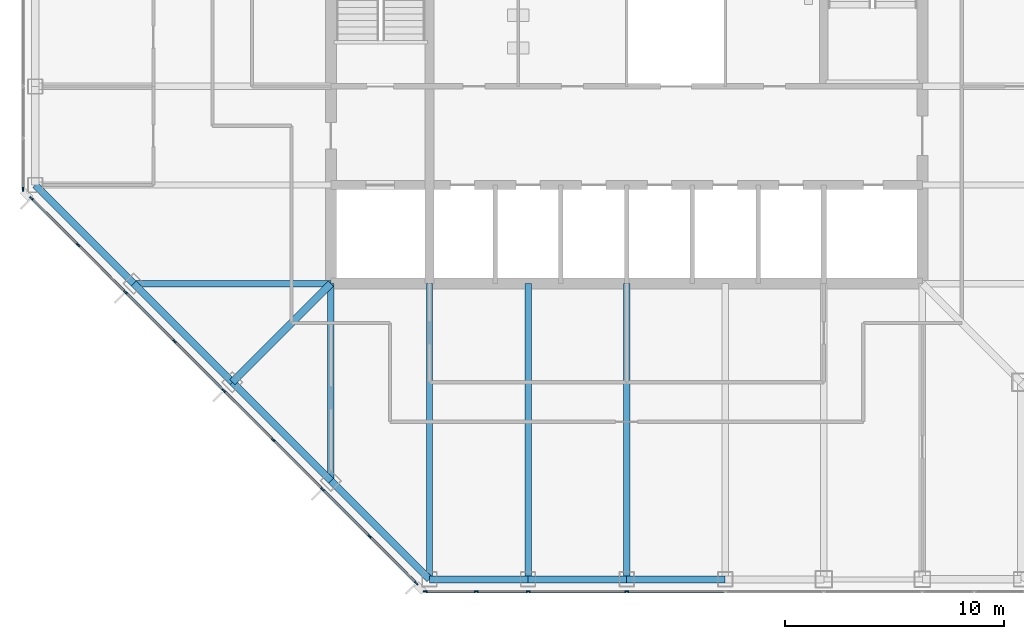
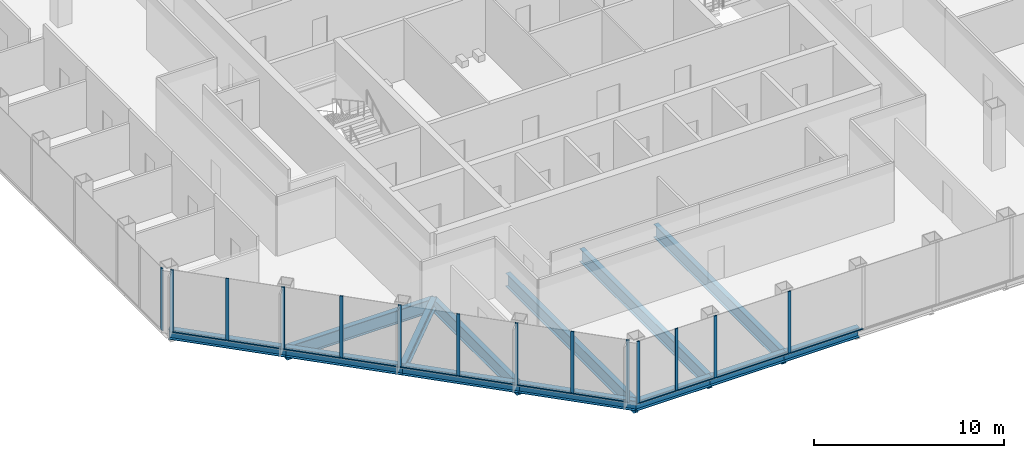
# One storey, part 2 of 13: 26 members, 13 beams, 3 elements without a shape of their own.
"""IFC4 building model written with IfcOpenShell, lengths in metres."""

from ifc_helpers import new_model, si_unit, direction, frame, origin, origin_2d, place, context, subcontext, project, spatial, rectangle, i_section, extrude, material, material_profile, profile_set, type_object, element, aggregate, save


model = new_model("IFC4")

# Units and contexts
model_context = context("Model", 3, precision=1e-05, world=origin(), true_north=direction((0.0, 1.0)))
body_context = subcontext(model_context, "Body", "Model", "MODEL_VIEW")
ifc_project = project(units=[si_unit("LENGTHUNIT", "METRE"), si_unit("AREAUNIT", "SQUARE_METRE"), si_unit("VOLUMEUNIT", "CUBIC_METRE"), si_unit("PLANEANGLEUNIT", "RADIAN"), si_unit("MASSUNIT", "GRAM", prefix="KILO")], contexts=[model_context])

# Site, building, storey
site_placement = place(None, origin())
site = spatial("IfcSite", under=ifc_project, at=site_placement, CompositionType="ELEMENT")
building_placement = place(site_placement, origin())
building = spatial("IfcBuilding", under=site, at=building_placement, Name="Corais Broadcast Tower", CompositionType="ELEMENT")
storey_placement = place(building_placement, frame((0.0, 0.0, 155.60009765625)))
storey = spatial("IfcBuildingStorey", under=building, at=storey_placement, Name="L35", CompositionType="ELEMENT", Elevation=155.60009765625)

# Beams
ifc_material_1 = material(Name="Steel ASTM A572 Grade 50", Category="steel")
ifc_material_profile_1 = material_profile(ifc_material_1, i_section(OverallWidth=0.323974609375, OverallDepth=0.611083984375, WebThickness=0.0126953125, FlangeThickness=0.01904296875, at=origin_2d()), Name="W610x155")
ifc_profile_set_1 = profile_set([ifc_material_profile_1], Name="Steel ASTM A572 Grade 50")
beam_type_1 = type_object("IfcBeamType", Name="Corner diagonal W610x155", PredefinedType="BEAM", material=ifc_profile_set_1)
beam_1_placement = place(storey_placement, frame((9.0, 9.0, -0.465576171875), z_axis=(0.707106781187, 0.707106781187, 0.0), x_axis=(-0.707106781187, 0.707106781187, 0.0)))
element("IfcBeam", 1, at=beam_1_placement, inside=storey, type_object=beam_type_1, Name="B6 C/5 to D/6", PredefinedType="BEAM", context=body_context, shape_type="SweptSolid", body=[
    extrude(i_section(OverallWidth=0.323974609375, OverallDepth=0.611083984375, WebThickness=0.0126953125, FlangeThickness=0.01904296875, at=origin_2d()), origin(), (0.0, 0.0, 1.0), 6.364013671875),
])
ifc_material_2 = material(Name="Steel ASTM A572 Grade 50", Category="steel")
ifc_material_profile_2 = material_profile(ifc_material_2, i_section(OverallWidth=0.2939453125, OverallDepth=0.85107421875, WebThickness=0.01611328125, FlangeThickness=0.02685546875, at=origin_2d()), Name="W840x226")
ifc_profile_set_2 = profile_set([ifc_material_profile_2], Name="Steel ASTM A572 Grade 50")
beam_type_2 = type_object("IfcBeamType", Name="Floor beam W840x226", PredefinedType="BEAM", material=ifc_profile_set_2)
beam_2_placement = place(storey_placement, frame((13.5, 4.5, -0.585693359375), z_axis=(0.0, 1.0, 0.0), x_axis=(-1.0, 0.0, 0.0)))
element("IfcBeam", 2, at=beam_2_placement, inside=storey, type_object=beam_type_2, Name="B1 B/6 to D/6", PredefinedType="BEAM", context=body_context, shape_type="SweptSolid", body=[
    extrude(i_section(OverallWidth=0.2939453125, OverallDepth=0.85107421875, WebThickness=0.01611328125, FlangeThickness=0.02685546875, at=origin_2d()), origin(), (0.0, 0.0, 1.0), 9.0),
])
for number, where, z_axis, x_axis, name in (
    (3, (18.0, 0.0, -0.585693359375), (0.0, 1.0, 0.0), (-1.0, 0.0, 0.0), "B1 A/7 to D/7"),
    (4, (22.5, 0.0, -0.585693359375), (0.0, 1.0, 0.0), (-1.0, 0.0, 0.0), "B1 A/8 to D/8"),
    (5, (27.0, 0.0, -0.585693359375), (0.0, 1.0, 0.0), (-1.0, 0.0, 0.0), "B1 A/9 to D/9"),
):
    element("IfcBeam", number, at=place(storey_placement, frame(where, z_axis=z_axis, x_axis=x_axis)), inside=storey, type_object=beam_type_2, Name=name, PredefinedType="BEAM", context=body_context, shape_type="SweptSolid", body=[
        extrude(i_section(OverallWidth=0.2939453125, OverallDepth=0.85107421875, WebThickness=0.01611328125, FlangeThickness=0.02685546875, at=origin_2d()), origin(), (0.0, 0.0, 1.0), 13.5),
    ])
beam_3_placement = place(storey_placement, frame((4.5, 13.5, -0.585693359375), z_axis=(1.0, 0.0, 0.0), x_axis=(0.0, 1.0, 0.0)))
element("IfcBeam", 6, at=beam_3_placement, inside=storey, type_object=beam_type_2, Name="B1 D/4 to D/6", PredefinedType="BEAM", context=body_context, shape_type="SweptSolid", body=[
    extrude(i_section(OverallWidth=0.2939453125, OverallDepth=0.85107421875, WebThickness=0.01611328125, FlangeThickness=0.02685546875, at=origin_2d()), origin(), (0.0, 0.0, 1.0), 9.0),
])

# Curtain wall, members
ifc_material_3 = material(Name="Aluminium and glass", Category="aluminium")
curtain_wall_type = type_object("IfcCurtainWallType", Name="Unitised fritted curtain wall CW2", PredefinedType="NOTDEFINED", material=ifc_material_3)
curtain_wall_1_placement = place(storey_placement, origin())
curtain_wall_1 = element("IfcCurtainWall", 7, at=curtain_wall_1_placement, inside=storey, type_object=curtain_wall_type, Name="CW2 curtain wall L35 1", PredefinedType="NOTDEFINED")
ifc_material_4 = material(Name="Aluminium 6063-T6", Category="aluminium")
ifc_material_profile_3 = material_profile(ifc_material_4, rectangle(XDim=0.06494140625, YDim=0.179931640625, at=origin_2d()), Name="Mullion CW2 65x180")
ifc_profile_set_3 = profile_set([ifc_material_profile_3], Name="Aluminium 6063-T6")
member_type_1 = type_object("IfcMemberType", Name="Mullion CW2 65x180", PredefinedType="MULLION", material=ifc_profile_set_3)
member_1_placement = place(storey_placement, frame((17.3955078125, -0.17333984375, 0.0), z_axis=(0.0, 0.0, 1.0), x_axis=(-0.707106781187, -0.707106781187, 0.0)))
member_1 = element("IfcMember", 8, at=member_1_placement, type_object=member_type_1, Name="CW2 mullion 1", PredefinedType="MULLION", context=body_context, shape_type="SweptSolid", body=[
    extrude(rectangle(XDim=0.06494140625, YDim=0.179931640625, at=origin_2d()), origin(), (0.0, 0.0, 1.0), 4.0),
])
member_2_placement = place(storey_placement, frame((15.264892578125, 1.957275390625, 0.0), z_axis=(0.0, 0.0, 1.0), x_axis=(-0.707106781187, -0.707106781187, 0.0)))
member_2 = element("IfcMember", 9, at=member_2_placement, type_object=member_type_1, Name="CW2 mullion 2", PredefinedType="MULLION", context=body_context, shape_type="SweptSolid", body=[
    extrude(rectangle(XDim=0.06494140625, YDim=0.179931640625, at=origin_2d()), origin(), (0.0, 0.0, 1.0), 4.0),
])
member_3_placement = place(storey_placement, frame((13.111083984375, 4.111083984375, 0.0), z_axis=(0.0, 0.0, 1.0), x_axis=(-0.707106781187, -0.707106781187, 0.0)))
member_3 = element("IfcMember", 10, at=member_3_placement, type_object=member_type_1, Name="CW2 mullion 3", PredefinedType="MULLION", context=body_context, shape_type="SweptSolid", body=[
    extrude(rectangle(XDim=0.06494140625, YDim=0.179931640625, at=origin_2d()), origin(), (0.0, 0.0, 1.0), 4.0),
])
member_4_placement = place(storey_placement, frame((10.861083984375, 6.361083984375, 0.0), z_axis=(0.0, 0.0, 1.0), x_axis=(-0.707106781187, -0.707106781187, 0.0)))
member_4 = element("IfcMember", 11, at=member_4_placement, type_object=member_type_1, Name="CW2 mullion 4", PredefinedType="MULLION", context=body_context, shape_type="SweptSolid", body=[
    extrude(rectangle(XDim=0.06494140625, YDim=0.179931640625, at=origin_2d()), origin(), (0.0, 0.0, 1.0), 4.0),
])
member_5_placement = place(storey_placement, frame((8.611083984375, 8.611083984375, 0.0), z_axis=(0.0, 0.0, 1.0), x_axis=(-0.707106781187, -0.707106781187, 0.0)))
member_5 = element("IfcMember", 12, at=member_5_placement, type_object=member_type_1, Name="CW2 mullion 5", PredefinedType="MULLION", context=body_context, shape_type="SweptSolid", body=[
    extrude(rectangle(XDim=0.06494140625, YDim=0.179931640625, at=origin_2d()), origin(), (0.0, 0.0, 1.0), 4.0),
])
member_6_placement = place(storey_placement, frame((6.361083984375, 10.861083984375, 0.0), z_axis=(0.0, 0.0, 1.0), x_axis=(-0.707106781187, -0.707106781187, 0.0)))
member_6 = element("IfcMember", 13, at=member_6_placement, type_object=member_type_1, Name="CW2 mullion 6", PredefinedType="MULLION", context=body_context, shape_type="SweptSolid", body=[
    extrude(rectangle(XDim=0.06494140625, YDim=0.179931640625, at=origin_2d()), origin(), (0.0, 0.0, 1.0), 4.0),
])
member_7_placement = place(storey_placement, frame((4.111083984375, 13.111083984375, 0.0), z_axis=(0.0, 0.0, 1.0), x_axis=(-0.707106781187, -0.707106781187, 0.0)))
member_7 = element("IfcMember", 14, at=member_7_placement, type_object=member_type_1, Name="CW2 mullion 7", PredefinedType="MULLION", context=body_context, shape_type="SweptSolid", body=[
    extrude(rectangle(XDim=0.06494140625, YDim=0.179931640625, at=origin_2d()), origin(), (0.0, 0.0, 1.0), 4.0),
])
member_8_placement = place(storey_placement, frame((1.957275390625, 15.264892578125, 0.0), z_axis=(0.0, 0.0, 1.0), x_axis=(-0.707106781187, -0.707106781187, 0.0)))
member_8 = element("IfcMember", 15, at=member_8_placement, type_object=member_type_1, Name="CW2 mullion 8", PredefinedType="MULLION", context=body_context, shape_type="SweptSolid", body=[
    extrude(rectangle(XDim=0.06494140625, YDim=0.179931640625, at=origin_2d()), origin(), (0.0, 0.0, 1.0), 4.0),
])
member_9_placement = place(storey_placement, frame((-0.17333984375, 17.3955078125, 0.0), z_axis=(0.0, 0.0, 1.0), x_axis=(-0.707106781187, -0.707106781187, 0.0)))
member_9 = element("IfcMember", 16, at=member_9_placement, type_object=member_type_1, Name="CW2 mullion 9", PredefinedType="MULLION", context=body_context, shape_type="SweptSolid", body=[
    extrude(rectangle(XDim=0.06494140625, YDim=0.179931640625, at=origin_2d()), origin(), (0.0, 0.0, 1.0), 4.0),
])

# Curtain wall, member
curtain_wall_2_placement = place(storey_placement, origin())
curtain_wall_2 = element("IfcCurtainWall", 17, at=curtain_wall_2_placement, inside=storey, type_object=curtain_wall_type, Name="CW2 curtain wall L35 2", PredefinedType="NOTDEFINED")
member_10_placement = place(storey_placement, frame((-0.550048828125, 17.8046875, 0.0), z_axis=(0.0, 0.0, 1.0), x_axis=(-1.0, 0.0, 0.0)))
member_10 = element("IfcMember", 18, at=member_10_placement, type_object=member_type_1, Name="CW2 mullion 1", PredefinedType="MULLION", context=body_context, shape_type="SweptSolid", body=[
    extrude(rectangle(XDim=0.06494140625, YDim=0.179931640625, at=origin_2d()), origin(), (0.0, 0.0, 1.0), 4.0),
])
aggregate(curtain_wall_2, [member_10])

# Curtain wall, members
curtain_wall_3_placement = place(storey_placement, origin())
curtain_wall_3 = element("IfcCurtainWall", 19, at=curtain_wall_3_placement, inside=storey, type_object=curtain_wall_type, Name="CW2 curtain wall L35 8", PredefinedType="NOTDEFINED")
member_11_placement = place(storey_placement, frame((27.0, -0.550048828125, 0.0), z_axis=(0.0, 0.0, 1.0), x_axis=(0.0, -1.0, 0.0)))
member_11 = element("IfcMember", 20, at=member_11_placement, type_object=member_type_1, Name="CW2 mullion 6", PredefinedType="MULLION", context=body_context, shape_type="SweptSolid", body=[
    extrude(rectangle(XDim=0.06494140625, YDim=0.179931640625, at=origin_2d()), origin(), (0.0, 0.0, 1.0), 4.0),
])
member_12_placement = place(storey_placement, frame((22.5, -0.550048828125, 0.0), z_axis=(0.0, 0.0, 1.0), x_axis=(0.0, -1.0, 0.0)))
member_12 = element("IfcMember", 21, at=member_12_placement, type_object=member_type_1, Name="CW2 mullion 7", PredefinedType="MULLION", context=body_context, shape_type="SweptSolid", body=[
    extrude(rectangle(XDim=0.06494140625, YDim=0.179931640625, at=origin_2d()), origin(), (0.0, 0.0, 1.0), 4.0),
])
member_13_placement = place(storey_placement, frame((20.135986328125, -0.550048828125, 0.0), z_axis=(0.0, 0.0, 1.0), x_axis=(0.0, -1.0, 0.0)))
member_13 = element("IfcMember", 22, at=member_13_placement, type_object=member_type_1, Name="CW2 mullion 8", PredefinedType="MULLION", context=body_context, shape_type="SweptSolid", body=[
    extrude(rectangle(XDim=0.06494140625, YDim=0.179931640625, at=origin_2d()), origin(), (0.0, 0.0, 1.0), 4.0),
])
member_14_placement = place(storey_placement, frame((17.8046875, -0.550048828125, 0.0), z_axis=(0.0, 0.0, 1.0), x_axis=(0.0, -1.0, 0.0)))
member_14 = element("IfcMember", 23, at=member_14_placement, type_object=member_type_1, Name="CW2 mullion 9", PredefinedType="MULLION", context=body_context, shape_type="SweptSolid", body=[
    extrude(rectangle(XDim=0.06494140625, YDim=0.179931640625, at=origin_2d()), origin(), (0.0, 0.0, 1.0), 4.0),
])

# Beams
ifc_material_5 = material(Name="Steel ASTM A572 Grade 50", Category="steel")
ifc_material_profile_4 = material_profile(ifc_material_5, i_section(OverallWidth=0.3291015625, OverallDepth=0.635009765625, WebThickness=0.017822265625, FlangeThickness=0.031005859375, at=origin_2d()), Name="W610x241")
ifc_profile_set_4 = profile_set([ifc_material_profile_4], Name="Steel ASTM A572 Grade 50")
beam_type_3 = type_object("IfcBeamType", Name="Spandrel W610x241", PredefinedType="BEAM", material=ifc_profile_set_4)
for number, where, z_axis, x_axis, name in (
    (24, (0.0, 18.0, -0.4775390625), (0.707106781187, -0.707106781187, 0.0), (0.707106781187, 0.707106781187, 0.0), "SB1 E/3 to D/4"),
    (25, (13.5, 4.5, -0.4775390625), (0.707106781187, -0.707106781187, 0.0), (0.707106781187, 0.707106781187, 0.0), "SB1 B/6 to A/7"),
):
    element("IfcBeam", number, at=place(storey_placement, frame(where, z_axis=z_axis, x_axis=x_axis)), inside=storey, type_object=beam_type_3, Name=name, PredefinedType="BEAM", context=body_context, shape_type="SweptSolid", body=[
        extrude(i_section(OverallWidth=0.3291015625, OverallDepth=0.635009765625, WebThickness=0.017822265625, FlangeThickness=0.031005859375, at=origin_2d()), origin(), (0.0, 0.0, 1.0), 6.364013671875),
    ])
for number, where, z_axis, x_axis, name in (
    (26, (18.0, 0.0, -0.4775390625), (1.0, 0.0, 0.0), (0.0, 1.0, 0.0), "SB1 A/7 to A/8"),
    (27, (22.5, 0.0, -0.4775390625), (1.0, 0.0, 0.0), (0.0, 1.0, 0.0), "SB1 A/8 to A/9"),
    (28, (27.0, 0.0, -0.4775390625), (1.0, 0.0, 0.0), (0.0, 1.0, 0.0), "SB1 A/9 to A/10"),
):
    element("IfcBeam", number, at=place(storey_placement, frame(where, z_axis=z_axis, x_axis=x_axis)), inside=storey, type_object=beam_type_3, Name=name, PredefinedType="BEAM", context=body_context, shape_type="SweptSolid", body=[
        extrude(i_section(OverallWidth=0.3291015625, OverallDepth=0.635009765625, WebThickness=0.017822265625, FlangeThickness=0.031005859375, at=origin_2d()), origin(), (0.0, 0.0, 1.0), 4.5),
    ])
for number, where, z_axis, x_axis, name in (
    (29, (4.5, 13.5, -0.4775390625), (0.707106781187, -0.707106781187, 0.0), (0.707106781187, 0.707106781187, 0.0), "SB1 D/4 to C/5"),
    (30, (9.0, 9.0, -0.4775390625), (0.707106781187, -0.707106781187, 0.0), (0.707106781187, 0.707106781187, 0.0), "SB1 C/5 to B/6"),
):
    element("IfcBeam", number, at=place(storey_placement, frame(where, z_axis=z_axis, x_axis=x_axis)), inside=storey, type_object=beam_type_3, Name=name, PredefinedType="BEAM", context=body_context, shape_type="SweptSolid", body=[
        extrude(i_section(OverallWidth=0.3291015625, OverallDepth=0.635009765625, WebThickness=0.017822265625, FlangeThickness=0.031005859375, at=origin_2d()), origin(), (0.0, 0.0, 1.0), 6.364013671875),
    ])

# Member
ifc_material_6 = material(Name="Aluminium 6063-T6", Category="aluminium")
ifc_material_profile_5 = material_profile(ifc_material_6, rectangle(XDim=0.1298828125, YDim=0.06494140625, at=origin_2d()), Name="Transom CW2 65x130")
ifc_profile_set_5 = profile_set([ifc_material_profile_5], Name="Aluminium 6063-T6")
member_type_2 = type_object("IfcMemberType", Name="Transom CW2 65x130", PredefinedType="USERDEFINED", material=ifc_profile_set_5)
member_15_placement = place(storey_placement, frame((17.37255859375, -0.150390625, 0.032470703125), z_axis=(-0.707106781187, 0.707106781187, 0.0), x_axis=(-0.707106781187, -0.707106781187, 0.0)))
member_15 = element("IfcMember", 31, at=member_15_placement, type_object=member_type_2, Name="CW2 transom 1.1", ObjectType="TRANSOM", PredefinedType="USERDEFINED", context=body_context, shape_type="SweptSolid", body=[
    extrude(rectangle(XDim=0.1298828125, YDim=0.06494140625, at=origin_2d()), origin(), (0.0, 0.0, 1.0), 2.9482421875),
])

member_16_placement = place(storey_placement, frame((15.241943359375, 1.980224609375, 0.032470703125), z_axis=(-0.707106781187, 0.707106781187, 0.0), x_axis=(-0.707106781187, -0.707106781187, 0.0)))
member_16 = element("IfcMember", 32, at=member_16_placement, type_object=member_type_2, Name="CW2 transom 2.1", ObjectType="TRANSOM", PredefinedType="USERDEFINED", context=body_context, shape_type="SweptSolid", body=[
    extrude(rectangle(XDim=0.1298828125, YDim=0.06494140625, at=origin_2d()), origin(), (0.0, 0.0, 1.0), 2.98095703125),
])

member_17_placement = place(storey_placement, frame((13.088134765625, 4.134033203125, 0.032470703125), z_axis=(-0.707106781187, 0.707106781187, 0.0), x_axis=(-0.707106781187, -0.707106781187, 0.0)))
member_17 = element("IfcMember", 33, at=member_17_placement, type_object=member_type_2, Name="CW2 transom 3.1", ObjectType="TRANSOM", PredefinedType="USERDEFINED", context=body_context, shape_type="SweptSolid", body=[
    extrude(rectangle(XDim=0.1298828125, YDim=0.06494140625, at=origin_2d()), origin(), (0.0, 0.0, 1.0), 3.1171875),
])

member_18_placement = place(storey_placement, frame((10.838134765625, 6.384033203125, 0.032470703125), z_axis=(-0.707106781187, 0.707106781187, 0.0), x_axis=(-0.707106781187, -0.707106781187, 0.0)))
member_18 = element("IfcMember", 34, at=member_18_placement, type_object=member_type_2, Name="CW2 transom 4.1", ObjectType="TRANSOM", PredefinedType="USERDEFINED", context=body_context, shape_type="SweptSolid", body=[
    extrude(rectangle(XDim=0.1298828125, YDim=0.06494140625, at=origin_2d()), origin(), (0.0, 0.0, 1.0), 3.1171875),
])

member_19_placement = place(storey_placement, frame((8.588134765625, 8.634033203125, 0.032470703125), z_axis=(-0.707106781187, 0.707106781187, 0.0), x_axis=(-0.707106781187, -0.707106781187, 0.0)))
member_19 = element("IfcMember", 35, at=member_19_placement, type_object=member_type_2, Name="CW2 transom 5.1", ObjectType="TRANSOM", PredefinedType="USERDEFINED", context=body_context, shape_type="SweptSolid", body=[
    extrude(rectangle(XDim=0.1298828125, YDim=0.06494140625, at=origin_2d()), origin(), (0.0, 0.0, 1.0), 3.1171875),
])

member_20_placement = place(storey_placement, frame((6.338134765625, 10.884033203125, 0.032470703125), z_axis=(-0.707106781187, 0.707106781187, 0.0), x_axis=(-0.707106781187, -0.707106781187, 0.0)))
member_20 = element("IfcMember", 36, at=member_20_placement, type_object=member_type_2, Name="CW2 transom 6.1", ObjectType="TRANSOM", PredefinedType="USERDEFINED", context=body_context, shape_type="SweptSolid", body=[
    extrude(rectangle(XDim=0.1298828125, YDim=0.06494140625, at=origin_2d()), origin(), (0.0, 0.0, 1.0), 3.1171875),
])

member_21_placement = place(storey_placement, frame((4.088134765625, 13.134033203125, 0.032470703125), z_axis=(-0.707065828661, 0.70714773134, 0.0), x_axis=(-0.70714773134, -0.707065828661, 0.0)))
member_21 = element("IfcMember", 37, at=member_21_placement, type_object=member_type_2, Name="CW2 transom 7.1", ObjectType="TRANSOM", PredefinedType="USERDEFINED", context=body_context, shape_type="SweptSolid", body=[
    extrude(rectangle(XDim=0.1298828125, YDim=0.06494140625, at=origin_2d()), origin(), (0.0, 0.0, 1.0), 2.98095703125),
])

member_22_placement = place(storey_placement, frame((1.934326171875, 15.287841796875, 0.032470703125), z_axis=(-0.707106781187, 0.707106781187, 0.0), x_axis=(-0.707106781187, -0.707106781187, 0.0)))
member_22 = element("IfcMember", 38, at=member_22_placement, type_object=member_type_2, Name="CW2 transom 8.1", ObjectType="TRANSOM", PredefinedType="USERDEFINED", context=body_context, shape_type="SweptSolid", body=[
    extrude(rectangle(XDim=0.1298828125, YDim=0.06494140625, at=origin_2d()), origin(), (0.0, 0.0, 1.0), 2.9482421875),
])

aggregate(curtain_wall_1, [member_1, member_2, member_3, member_4, member_5, member_6, member_7, member_8, member_9, member_15, member_16, member_17, member_18, member_19, member_20, member_21, member_22])

member_23_placement = place(storey_placement, frame((31.467529296875, -0.550048828125, 0.032470703125), z_axis=(-1.0, 0.0, 0.0), x_axis=(0.0, -1.0, 0.0)))
member_23 = element("IfcMember", 39, at=member_23_placement, type_object=member_type_2, Name="CW2 transom 5.1", ObjectType="TRANSOM", PredefinedType="USERDEFINED", context=body_context, shape_type="SweptSolid", body=[
    extrude(rectangle(XDim=0.1298828125, YDim=0.06494140625, at=origin_2d()), origin(), (0.0, 0.0, 1.0), 4.43505859375),
])

member_24_placement = place(storey_placement, frame((26.967529296875, -0.550048828125, 0.032470703125), z_axis=(-1.0, 0.0, 0.0), x_axis=(0.0, -1.0, 0.0)))
member_24 = element("IfcMember", 40, at=member_24_placement, type_object=member_type_2, Name="CW2 transom 6.1", ObjectType="TRANSOM", PredefinedType="USERDEFINED", context=body_context, shape_type="SweptSolid", body=[
    extrude(rectangle(XDim=0.1298828125, YDim=0.06494140625, at=origin_2d()), origin(), (0.0, 0.0, 1.0), 4.43505859375),
])

member_25_placement = place(storey_placement, frame((22.467529296875, -0.550048828125, 0.032470703125), z_axis=(-1.0, 0.0, 0.0), x_axis=(0.0, -1.0, 0.0)))
member_25 = element("IfcMember", 41, at=member_25_placement, type_object=member_type_2, Name="CW2 transom 7.1", ObjectType="TRANSOM", PredefinedType="USERDEFINED", context=body_context, shape_type="SweptSolid", body=[
    extrude(rectangle(XDim=0.1298828125, YDim=0.06494140625, at=origin_2d()), origin(), (0.0, 0.0, 1.0), 2.298828125),
])

member_26_placement = place(storey_placement, frame((20.103515625, -0.550048828125, 0.032470703125), z_axis=(-1.0, 0.0, 0.0), x_axis=(0.0, -1.0, 0.0)))
member_26 = element("IfcMember", 42, at=member_26_placement, type_object=member_type_2, Name="CW2 transom 8.1", ObjectType="TRANSOM", PredefinedType="USERDEFINED", context=body_context, shape_type="SweptSolid", body=[
    extrude(rectangle(XDim=0.1298828125, YDim=0.06494140625, at=origin_2d()), origin(), (0.0, 0.0, 1.0), 2.266357421875),
])

aggregate(curtain_wall_3, [member_11, member_12, member_13, member_14, member_23, member_24, member_25, member_26])

save(model, "model.ifc")
